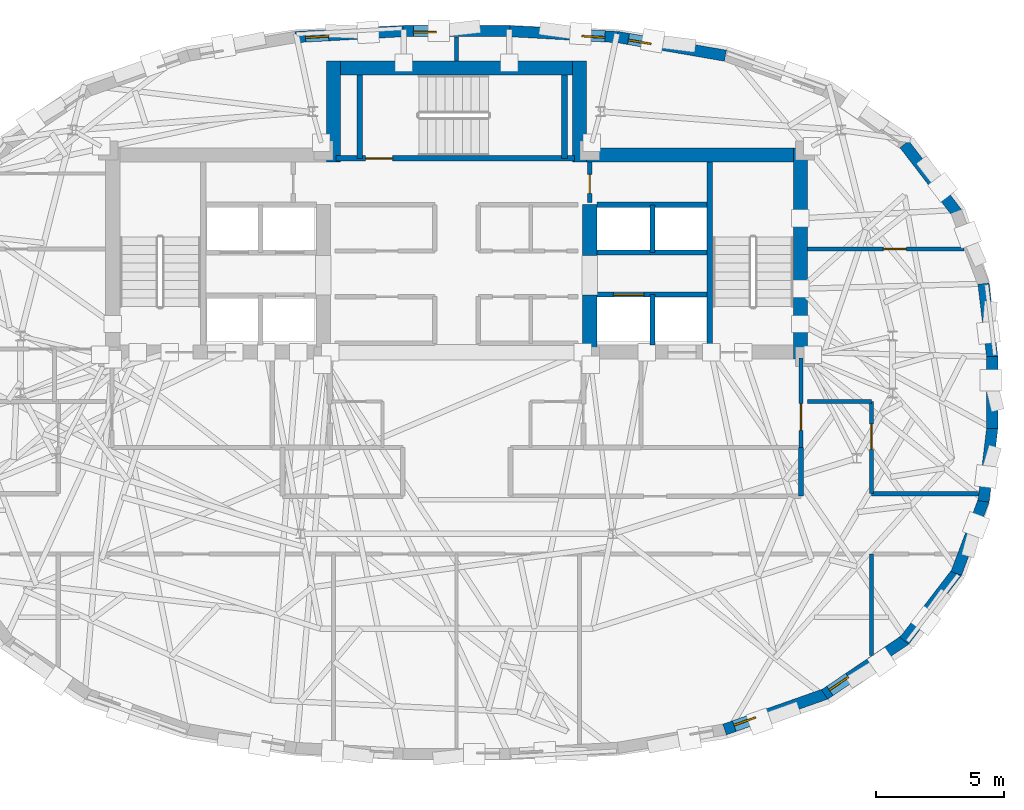
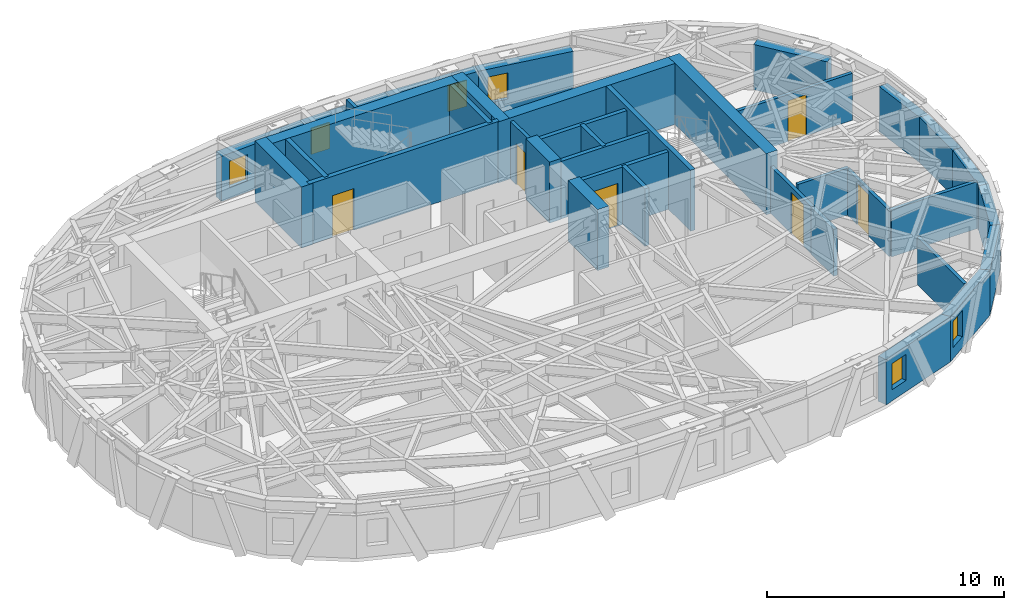
# One storey, part 8 of 12: 37 walls, 6 doors, 6 windows, 12 openings.
"""IFC4 building model written with IfcOpenShell, lengths in metres."""

from ifc_helpers import new_model, si_unit, direction, frame, frame_2d, origin, place, context, subcontext, project, spatial, rectangle, extrude, material, layer, layer_set, type_object, element, fill, save


model = new_model("IFC4")

# Units and contexts
model_context = context("Model", 3, precision=1e-05, world=origin(), true_north=direction((0.0, 1.0)))
body_context = subcontext(model_context, "Body", "Model", "MODEL_VIEW")
ifc_project = project(units=[si_unit("LENGTHUNIT", "METRE"), si_unit("AREAUNIT", "SQUARE_METRE"), si_unit("VOLUMEUNIT", "CUBIC_METRE"), si_unit("PLANEANGLEUNIT", "RADIAN"), si_unit("MASSUNIT", "GRAM", prefix="KILO")], contexts=[model_context])

# Site, building, storey
site_placement = place(None, origin())
site = spatial("IfcSite", under=ifc_project, at=site_placement, CompositionType="ELEMENT")
building_placement = place(site_placement, origin())
building = spatial("IfcBuilding", under=site, at=building_placement, Name="Keldmark Tower", CompositionType="ELEMENT")
storey_placement = place(building_placement, frame((0.0, 0.0, 247.800048828125)))
storey = spatial("IfcBuildingStorey", under=building, at=storey_placement, Name="L70", CompositionType="ELEMENT", Elevation=247.800048828125)

# Walls
ifc_material_1 = material(Name="Heavy Acoustic Plumbing Chase Gypsum Assembly", Category="gypsum")
ifc_layer_1 = layer(ifc_material_1, 0.18994140625)
ifc_layer_set_1 = layer_set([ifc_layer_1], Name="Heavy Acoustic Plumbing Chase Gypsum Assembly")
wall_type_1 = type_object("IfcWallType", Name="Heavy Wet Wall 190 mm", PredefinedType="PLUMBINGWALL", material=ifc_layer_set_1)
wall_1_placement = place(storey_placement, frame((13.449951171875, -4.050048828125, 0.0), z_axis=(0.0, 0.0, 1.0), x_axis=(0.0, 1.0, 0.0)))
element("IfcWall", 1, at=wall_1_placement, inside=storey, type_object=wall_type_1, Name="L70 Heavy Wet Wall 190 mm SPK-E-E", PredefinedType="PLUMBINGWALL", context=body_context, shape_type="SweptSolid", body=[
    extrude(rectangle(XDim=1.900146484375, YDim=0.18994140625, at=frame_2d((0.9501953125, 0.0))), origin(), (0.0, 0.0, 1.0), 2.4228515625),
])
ifc_material_2 = material(Name="Concrete C50/60", Category="concrete")
ifc_layer_2 = layer(ifc_material_2, 0.550048828125)
ifc_layer_set_2 = layer_set([ifc_layer_2], Name="Concrete C50/60")
wall_type_2 = type_object("IfcWallType", Name="High-Rise Core Shear Wall 550 mm", PredefinedType="SHEAR", material=ifc_layer_set_2)
wall_2_placement = place(storey_placement, frame((13.425048828125, 1.300048828125, 0.0), z_axis=(0.0, 0.0, 1.0), x_axis=(0.0, 1.0, 0.0)))
element("IfcWall", 2, at=wall_2_placement, inside=storey, type_object=wall_type_2, Name="L70 East Core Outer Shear Wall", PredefinedType="SHEAR", context=body_context, shape_type="SweptSolid", body=[
    extrude(rectangle(XDim=8.25, YDim=0.550048828125, at=frame_2d((4.125, 0.0))), origin(), (0.0, 0.0, 1.0), 3.14990234375),
])
wall_3_placement = place(storey_placement, frame((4.52490234375, 9.27490234375, 0.0), z_axis=(0.0, 0.0, 1.0), x_axis=(1.0, 0.0, 0.0)))
element("IfcWall", 3, at=wall_3_placement, inside=storey, type_object=wall_type_2, Name="L70 East Core North Shear Wall", PredefinedType="SHEAR", context=body_context, shape_type="SweptSolid", body=[
    extrude(rectangle(XDim=9.175048828125, YDim=0.550048828125, at=frame_2d((4.58740234375, 0.0))), origin(), (0.0, 0.0, 1.0), 3.14990234375),
])
wall_4_placement = place(storey_placement, frame((5.199951171875, 1.300048828125, 0.0), z_axis=(0.0, 0.0, 1.0), x_axis=(0.0, 1.0, 0.0)))
element("IfcWall", 4, at=wall_4_placement, inside=storey, type_object=wall_type_2, Name="L70 East Core Inner Shear Pier South", PredefinedType="SHEAR", context=body_context, shape_type="SweptSolid", body=[
    extrude(rectangle(XDim=2.5, YDim=0.550048828125, at=frame_2d((1.25, 0.0))), origin(), (0.0, 0.0, 1.0), 3.14990234375),
])
wall_5_placement = place(storey_placement, frame((5.199951171875, 5.35009765625, 0.0), z_axis=(0.0, 0.0, 1.0), x_axis=(0.0, 1.0, 0.0)))
element("IfcWall", 5, at=wall_5_placement, inside=storey, type_object=wall_type_2, Name="L70 East Core Inner Shear Pier North", PredefinedType="SHEAR", context=body_context, shape_type="SweptSolid", body=[
    extrude(rectangle(XDim=2.0, YDim=0.550048828125, at=frame_2d((1.0, 0.0))), origin(), (0.0, 0.0, 1.0), 3.14990234375),
])
wall_6_placement = place(storey_placement, frame((-5.074951171875, 12.675048828125, 0.0), z_axis=(0.0, 0.0, 1.0), x_axis=(1.0, 0.0, 0.0)))
element("IfcWall", 6, at=wall_6_placement, inside=storey, type_object=wall_type_2, Name="L70 North Core Shear Wall", PredefinedType="SHEAR", context=body_context, shape_type="SweptSolid", body=[
    extrude(rectangle(XDim=10.14990234375, YDim=0.550048828125, at=frame_2d((5.074951171875, 0.0))), origin(), (0.0, 0.0, 1.0), 3.14990234375),
])
for number, where, z_axis, x_axis, name in (
    (7, (-4.800048828125, 9.0, 0.0), (0.0, 0.0, 1.0), (0.0, 1.0, 0.0), "L70 North Core West Shear Wall"),
    (8, (4.800048828125, 9.0, 0.0), (0.0, 0.0, 1.0), (0.0, 1.0, 0.0), "L70 North Core East Shear Wall"),
):
    element("IfcWall", number, at=place(storey_placement, frame(where, z_axis=z_axis, x_axis=x_axis)), inside=storey, type_object=wall_type_2, Name=name, PredefinedType="SHEAR", context=body_context, shape_type="SweptSolid", body=[
        extrude(rectangle(XDim=3.949951171875, YDim=0.550048828125, at=frame_2d((1.97509765625, 0.0))), origin(), (0.0, 0.0, 1.0), 3.14990234375),
    ])

# Wall, opening, door
ifc_material_3 = material(Name="Type X Fire-Rated Gypsum Partition Assembly", Category="gypsum")
ifc_layer_3 = layer(ifc_material_3, 0.1650390625)
ifc_layer_set_3 = layer_set([ifc_layer_3], Name="Type X Fire-Rated Gypsum Partition Assembly")
wall_type_3 = type_object("IfcWallType", Name="Rated Partition 165 mm", PredefinedType="PARTITIONING", material=ifc_layer_set_3)
wall_7_placement = place(storey_placement, frame((13.449951171875, -2.14990234375, 0.0), z_axis=(0.0, 0.0, 1.0), x_axis=(0.0, 1.0, 0.0)))
wall_7 = element("IfcWall", 9, at=wall_7_placement, inside=storey, type_object=wall_type_3, Name="L70 Rated Partition 165 mm FSAE-E-E", PredefinedType="PARTITIONING", context=body_context, shape_type="SweptSolid", body=[
    extrude(rectangle(XDim=3.5, YDim=0.1650390625, at=frame_2d((1.75, 0.0))), origin(), (0.0, 0.0, 1.0), 2.4228515625),
])
opening_1_placement = place(wall_7_placement, frame((0.669921875, 0.0, 0.0)))
opening_1 = element("IfcOpeningElement", 10, at=opening_1_placement, cuts=wall_7, Name="Opening D-FL105", PredefinedType="OPENING", context=body_context, shape_type="SweptSolid", body=[
    extrude(rectangle(XDim=1.050048828125, YDim=2.14990234375, at=frame_2d((0.52490234375, 1.074951171875))), frame((0.0, 0.092529296875, 0.0), z_axis=(0.0, -1.0, 0.0), x_axis=(1.0, 0.0, 0.0)), (0.0, 0.0, 1.0), 0.18505859375),
])
ifc_material_4 = material(Name="Fire-Rated Mineral-Core Door and Vision Lite", Category="metal")
door_type_1 = type_object("IfcDoorType", Name="Fire Lobby Door 1050x2150", OperationType="NOTDEFINED", PredefinedType="DOOR", material=ifc_material_4)
door_1_placement = place(opening_1_placement, origin())
door_1 = element("IfcDoor", 11, at=door_1_placement, inside=storey, type_object=door_type_1, Name="L70 Fire Lobby Door 1050x2150 D-FSAEE-OUT-L70", OperationType="SINGLE_SWING_RIGHT", OverallHeight=2.14990234375, OverallWidth=1.050048828125, PredefinedType="DOOR", context=body_context, shape_type="SweptSolid", body=[
    extrude(rectangle(XDim=1.050048828125, YDim=2.14990234375, at=frame_2d((0.52490234375, 1.074951171875))), frame((0.0, 0.02490234375, 0.0), z_axis=(0.0, -1.0, 0.0), x_axis=(1.0, 0.0, 0.0)), (0.0, 0.0, 1.0), 0.050048828125),
])
fill(opening_1, door_1)

wall_8_placement = place(storey_placement, frame((5.199951171875, 7.419921875, 0.0), z_axis=(0.0, 0.0, 1.0), x_axis=(0.0, 1.0, 0.0)))
wall_8 = element("IfcWall", 12, at=wall_8_placement, inside=storey, type_object=wall_type_3, Name="L70 Rated Partition 165 mm CS-NE-W", PredefinedType="PARTITIONING", context=body_context, shape_type="SweptSolid", body=[
    extrude(rectangle(XDim=1.580078125, YDim=0.1650390625, at=frame_2d((0.7900390625, 0.0))), origin(), (0.0, 0.0, 1.0), 2.969970703125),
])
opening_2_placement = place(wall_8_placement, frame((0.35009765625, 0.0, 0.0)))
opening_2 = element("IfcOpeningElement", 13, at=opening_2_placement, cuts=wall_8, Name="Opening D-RS075", PredefinedType="OPENING", context=body_context, shape_type="SweptSolid", body=[
    extrude(rectangle(XDim=0.75, YDim=2.10009765625, at=frame_2d((0.375, 1.050048828125))), frame((0.0, 0.092529296875, 0.0), z_axis=(0.0, -1.0, 0.0), x_axis=(1.0, 0.0, 0.0)), (0.0, 0.0, 1.0), 0.18505859375),
])
ifc_material_5 = material(Name="Galvanized Fire-Rated Access Leaf", Category="metal")
door_type_2 = type_object("IfcDoorType", Name="Riser Access Door 750x2100", OperationType="NOTDEFINED", PredefinedType="DOOR", material=ifc_material_5)
door_2_placement = place(opening_2_placement, origin())
door_2 = element("IfcDoor", 14, at=door_2_placement, inside=storey, type_object=door_type_2, Name="L70 Riser Access Door 750x2100 D-CSNE1-L70", OperationType="SINGLE_SWING_LEFT", OverallHeight=2.10009765625, OverallWidth=0.75, PredefinedType="DOOR", context=body_context, shape_type="SweptSolid", body=[
    extrude(rectangle(XDim=0.75, YDim=2.10009765625, at=frame_2d((0.375, 1.050048828125))), frame((0.0, 0.02490234375, 0.0), z_axis=(0.0, -1.0, 0.0), x_axis=(1.0, 0.0, 0.0)), (0.0, 0.0, 1.0), 0.050048828125),
])
fill(opening_2, door_2)

# Wall
wall_9_placement = place(storey_placement, frame((16.199951171875, -3.949951171875, 0.0), z_axis=(0.0, 0.0, 1.0), x_axis=(1.0, 0.0, 0.0)))
element("IfcWall", 15, at=wall_9_placement, inside=storey, type_object=wall_type_3, Name="L70 Rated Partition 165 mm RCOR-EN-OUT", PredefinedType="PARTITIONING", context=body_context, shape_type="SweptSolid", body=[
    extrude(rectangle(XDim=4.179443359375, YDim=0.1650390625, at=frame_2d((2.08984375, 0.0))), origin(), (0.0, 0.0, 1.0), 2.4228515625),
])

# Wall, opening, door
wall_10_placement = place(storey_placement, frame((16.199951171875, -3.949951171875, 0.0), z_axis=(0.0, 0.0, 1.0), x_axis=(0.0, 1.0, 0.0)))
wall_10 = element("IfcWall", 16, at=wall_10_placement, inside=storey, type_object=wall_type_3, Name="L70 Rated Partition 165 mm RCOR-VE", PredefinedType="PARTITIONING", context=body_context, shape_type="SweptSolid", body=[
    extrude(rectangle(XDim=3.599853515625, YDim=0.1650390625, at=frame_2d((1.7998046875, 0.0))), origin(), (0.0, 0.0, 1.0), 2.35693359375),
])
opening_3_placement = place(wall_10_placement, frame((1.72998046875, 0.0, 0.0)))
opening_3 = element("IfcOpeningElement", 17, at=opening_3_placement, cuts=wall_10, Name="Opening D-FD100", PredefinedType="OPENING", context=body_context, shape_type="SweptSolid", body=[
    extrude(rectangle(XDim=1.0, YDim=2.14990234375, at=frame_2d((0.5, 1.074951171875))), frame((0.0, 0.092529296875, 0.0), z_axis=(0.0, -1.0, 0.0), x_axis=(1.0, 0.0, 0.0)), (0.0, 0.0, 1.0), 0.18505859375),
])
ifc_material_6 = material(Name="Hollow Metal Fire-Rated Corridor Door", Category="metal")
door_type_3 = type_object("IfcDoorType", Name="Fire Door 1000x2150", OperationType="NOTDEFINED", PredefinedType="DOOR", material=ifc_material_6)
door_3_placement = place(opening_3_placement, origin())
door_3 = element("IfcDoor", 18, at=door_3_placement, inside=storey, type_object=door_type_3, Name="L70 Fire Door 1000x2150 D-REM1-L70", OperationType="SINGLE_SWING_RIGHT", OverallHeight=2.14990234375, OverallWidth=1.0, PredefinedType="DOOR", context=body_context, shape_type="SweptSolid", body=[
    extrude(rectangle(XDim=1.0, YDim=2.14990234375, at=frame_2d((0.5, 1.074951171875))), frame((0.0, 0.02490234375, 0.0), z_axis=(0.0, -1.0, 0.0), x_axis=(1.0, 0.0, 0.0)), (0.0, 0.0, 1.0), 0.050048828125),
])
fill(opening_3, door_3)

# Walls
wall_11_placement = place(storey_placement, frame((13.699951171875, -0.35009765625, 0.0), z_axis=(0.0, 0.0, 1.0), x_axis=(1.0, 0.0, 0.0)))
element("IfcWall", 19, at=wall_11_placement, inside=storey, type_object=wall_type_3, Name="L70 Rated Partition 165 mm RCOR-VEN", PredefinedType="PARTITIONING", context=body_context, shape_type="SweptSolid", body=[
    extrude(rectangle(XDim=2.5, YDim=0.1650390625, at=frame_2d((1.25, 0.0))), origin(), (0.0, 0.0, 1.0), 2.4228515625),
])
wall_12_placement = place(storey_placement, frame((0.0, 12.949951171875, 0.0), z_axis=(0.0, 0.0, 1.0), x_axis=(0.0, 1.0, 0.0)))
element("IfcWall", 20, at=wall_12_placement, inside=storey, type_object=wall_type_3, Name="L70 Rated Partition 165 mm RN-DIV", PredefinedType="PARTITIONING", context=body_context, shape_type="SweptSolid", body=[
    extrude(rectangle(XDim=0.93212890625, YDim=0.1650390625, at=frame_2d((0.466064453125, 0.0))), origin(), (0.0, 0.0, 1.0), 2.969970703125),
])

# Wall, opening, door
wall_13_placement = place(storey_placement, frame((13.699951171875, 5.60009765625, 0.0), z_axis=(0.0, 0.0, 1.0), x_axis=(1.0, 0.0, 0.0)))
wall_13 = element("IfcWall", 21, at=wall_13_placement, inside=storey, type_object=wall_type_3, Name="L70 Rated Partition 165 mm RE-NDIV", PredefinedType="PARTITIONING", context=body_context, shape_type="SweptSolid", body=[
    extrude(rectangle(XDim=6.115478515625, YDim=0.1650390625, at=frame_2d((3.0576171875, 0.0))), origin(), (0.0, 0.0, 1.0), 2.4228515625),
])
opening_4_placement = place(wall_13_placement, frame((2.9609375, 0.0, 0.0)))
opening_4 = element("IfcOpeningElement", 22, at=opening_4_placement, cuts=wall_13, Name="Opening D-IN090", PredefinedType="OPENING", context=body_context, shape_type="SweptSolid", body=[
    extrude(rectangle(XDim=0.89990234375, YDim=2.10009765625, at=frame_2d((0.449951171875, 1.050048828125))), frame((0.0, 0.092529296875, 0.0), z_axis=(0.0, -1.0, 0.0), x_axis=(1.0, 0.0, 0.0)), (0.0, 0.0, 1.0), 0.18505859375),
])
ifc_material_7 = material(Name="Stained American White Oak Veneer", Category="wood")
door_type_4 = type_object("IfcDoorType", Name="Interior Door 900x2100", OperationType="NOTDEFINED", PredefinedType="DOOR", material=ifc_material_7)
door_4_placement = place(opening_4_placement, origin())
door_4 = element("IfcDoor", 23, at=door_4_placement, inside=storey, type_object=door_type_4, Name="L70 Interior Door 900x2100 D-REN1-L70", OperationType="SINGLE_SWING_LEFT", OverallHeight=2.10009765625, OverallWidth=0.89990234375, PredefinedType="DOOR", context=body_context, shape_type="SweptSolid", body=[
    extrude(rectangle(XDim=0.89990234375, YDim=2.10009765625, at=frame_2d((0.449951171875, 1.050048828125))), frame((0.0, 0.02490234375, 0.0), z_axis=(0.0, -1.0, 0.0), x_axis=(1.0, 0.0, 0.0)), (0.0, 0.0, 1.0), 0.050048828125),
])
fill(opening_4, door_4)

# Wall
wall_14_placement = place(storey_placement, frame((16.199951171875, -10.273193359375, 0.0), z_axis=(0.0, 0.0, 1.0), x_axis=(0.0, 1.0, 0.0)))
element("IfcWall", 24, at=wall_14_placement, inside=storey, type_object=wall_type_3, Name="L70 Rated Partition 165 mm RS-ECAP", PredefinedType="PARTITIONING", context=body_context, shape_type="SweptSolid", body=[
    extrude(rectangle(XDim=3.97314453125, YDim=0.1650390625, at=frame_2d((1.986572265625, 0.0))), origin(), (0.0, 0.0, 1.0), 2.4228515625),
])

# Wall, opening, door
ifc_material_8 = material(Name="Fire-Resistant Type X Gypsum Shaftliner Coreboard", Category="gypsum")
ifc_layer_4 = layer(ifc_material_8, 0.199951171875)
ifc_layer_set_4 = layer_set([ifc_layer_4], Name="Fire-Resistant Type X Gypsum Shaftliner Coreboard")
wall_type_4 = type_object("IfcWallType", Name="Shaft Wall 200 mm", PredefinedType="SOLIDWALL", material=ifc_layer_set_4)
wall_15_placement = place(storey_placement, frame((5.47509765625, 3.820068359375, 0.0), z_axis=(0.0, 0.0, 1.0), x_axis=(1.0, 0.0, 0.0)))
wall_15 = element("IfcWall", 25, at=wall_15_placement, inside=storey, type_object=wall_type_4, Name="L70 Shaft Wall 200 mm HW-E-S", PredefinedType="SOLIDWALL", context=body_context, shape_type="SweptSolid", body=[
    extrude(rectangle(XDim=4.304931640625, YDim=0.199951171875, at=frame_2d((2.15234375, 0.0))), origin(), (0.0, 0.0, 1.0), 2.969970703125),
])
opening_5_placement = place(wall_15_placement, frame((0.64990234375, 0.0, 0.0)))
opening_5 = element("IfcOpeningElement", 26, at=opening_5_placement, cuts=wall_15, Name="Opening LD-120", PredefinedType="OPENING", context=body_context, shape_type="SweptSolid", body=[
    extrude(rectangle(XDim=1.199951171875, YDim=2.199951171875, at=frame_2d((0.60009765625, 1.10009765625))), frame((0.0, 0.10986328125, 0.0), z_axis=(0.0, -1.0, 0.0), x_axis=(1.0, 0.0, 0.0)), (0.0, 0.0, 1.0), 0.219970703125),
])
ifc_material_9 = material(Name="Heavy-Duty Brushed Metal Hoistway Sliding Leaf", Category="metal")
door_type_5 = type_object("IfcDoorType", Name="Service Lift Sliding Door 1200x2200", OperationType="SLIDING_TO_RIGHT", PredefinedType="DOOR", material=ifc_material_9)
door_5_placement = place(opening_5_placement, origin())
door_5 = element("IfcDoor", 27, at=door_5_placement, inside=storey, type_object=door_type_5, Name="L70 Service Lift Sliding Door 1200x2200 LD-EL-SV1-L70", OperationType="SLIDING_TO_RIGHT", OverallHeight=2.199951171875, OverallWidth=1.199951171875, PredefinedType="DOOR", context=body_context, shape_type="SweptSolid", body=[
    extrude(rectangle(XDim=1.199951171875, YDim=2.199951171875, at=frame_2d((0.60009765625, 1.10009765625))), frame((0.0, 0.02490234375, 0.0), z_axis=(0.0, -1.0, 0.0), x_axis=(1.0, 0.0, 0.0)), (0.0, 0.0, 1.0), 0.050048828125),
])
fill(opening_5, door_5)

# Walls
wall_16_placement = place(storey_placement, frame((7.64990234375, 1.85009765625, 0.0), z_axis=(0.0, 0.0, 1.0), x_axis=(0.0, 1.0, 0.0)))
element("IfcWall", 28, at=wall_16_placement, inside=storey, type_object=wall_type_4, Name="L70 Shaft Wall 200 mm HW-E-M", PredefinedType="SOLIDWALL", context=body_context, shape_type="SweptSolid", body=[
    extrude(rectangle(XDim=1.969970703125, YDim=0.199951171875, at=frame_2d((0.98486328125, 0.0))), origin(), (0.0, 0.0, 1.0), 2.969970703125),
])
for number, where, z_axis, x_axis, name in (
    (29, (5.47509765625, 5.469970703125, 0.0), (0.0, 0.0, 1.0), (1.0, 0.0, 0.0), "L70 Shaft Wall 200 mm HW-E-N"),
    (30, (5.47509765625, 7.330078125, 0.0), (0.0, 0.0, 1.0), (1.0, 0.0, 0.0), "L70 Shaft Wall 200 mm HW-E-TOP"),
):
    element("IfcWall", number, at=place(storey_placement, frame(where, z_axis=z_axis, x_axis=x_axis)), inside=storey, type_object=wall_type_4, Name=name, PredefinedType="SOLIDWALL", context=body_context, shape_type="SweptSolid", body=[
        extrude(rectangle(XDim=4.304931640625, YDim=0.199951171875, at=frame_2d((2.15234375, 0.0))), origin(), (0.0, 0.0, 1.0), 2.969970703125),
    ])
wall_17_placement = place(storey_placement, frame((7.64990234375, 5.469970703125, 0.0), z_axis=(0.0, 0.0, 1.0), x_axis=(0.0, 1.0, 0.0)))
element("IfcWall", 31, at=wall_17_placement, inside=storey, type_object=wall_type_4, Name="L70 Shaft Wall 200 mm HW-E-NM", PredefinedType="SOLIDWALL", context=body_context, shape_type="SweptSolid", body=[
    extrude(rectangle(XDim=1.860107421875, YDim=0.199951171875, at=frame_2d((0.93017578125, 0.0))), origin(), (0.0, 0.0, 1.0), 2.969970703125),
])
ifc_material_10 = material(Name="Concrete C50/60", Category="concrete")
ifc_layer_5 = layer(ifc_material_10, 0.219970703125)
ifc_layer_set_5 = layer_set([ifc_layer_5], Name="Concrete C50/60")
wall_type_5 = type_object("IfcWallType", Name="Stair Core Shear Wall 220 mm", PredefinedType="SHEAR", material=ifc_layer_set_5)
wall_18_placement = place(storey_placement, frame((9.889892578125, 1.85009765625, 0.0), z_axis=(0.0, 0.0, 1.0), x_axis=(0.0, 1.0, 0.0)))
element("IfcWall", 32, at=wall_18_placement, inside=storey, type_object=wall_type_5, Name="L70 East Stair Core Shear Wall", PredefinedType="SHEAR", context=body_context, shape_type="SweptSolid", body=[
    extrude(rectangle(XDim=7.14990234375, YDim=0.219970703125, at=frame_2d((3.574951171875, 0.0))), origin(), (0.0, 0.0, 1.0), 3.14990234375),
])

# Wall, opening, door
wall_19_placement = place(storey_placement, frame((-4.699951171875, 9.139892578125, 0.0), z_axis=(0.0, 0.0, 1.0), x_axis=(1.0, 0.0, 0.0)))
wall_19 = element("IfcWall", 33, at=wall_19_placement, inside=storey, type_object=wall_type_5, Name="L70 Central Stair Core South Shear Wall", PredefinedType="SHEAR", context=body_context, shape_type="SweptSolid", body=[
    extrude(rectangle(XDim=9.300048828125, YDim=0.219970703125, at=frame_2d((4.64990234375, 0.0))), origin(), (0.0, 0.0, 1.0), 3.14990234375),
])
opening_6_placement = place(wall_19_placement, frame((1.14990234375, 0.0, 0.0)))
opening_6 = element("IfcOpeningElement", 34, at=opening_6_placement, cuts=wall_19, Name="Opening D-ST105", PredefinedType="OPENING", context=body_context, shape_type="SweptSolid", body=[
    extrude(rectangle(XDim=1.050048828125, YDim=2.14990234375, at=frame_2d((0.52490234375, 1.074951171875))), frame((0.0, 0.119873046875, 0.0), z_axis=(0.0, -1.0, 0.0), x_axis=(1.0, 0.0, 0.0)), (0.0, 0.0, 1.0), 0.239990234375),
])
ifc_material_11 = material(Name="Hollow Metal Fire-Rated Door Assembly", Category="metal")
door_type_6 = type_object("IfcDoorType", Name="Stair Fire Door 1050x2150", OperationType="NOTDEFINED", PredefinedType="DOOR", material=ifc_material_11)
door_6_placement = place(opening_6_placement, origin())
door_6 = element("IfcDoor", 35, at=door_6_placement, inside=storey, type_object=door_type_6, Name="L70 Stair Fire Door 1050x2150 D-ST3-L70", OperationType="SINGLE_SWING_LEFT", OverallHeight=2.14990234375, OverallWidth=1.050048828125, PredefinedType="DOOR", context=body_context, shape_type="SweptSolid", body=[
    extrude(rectangle(XDim=1.050048828125, YDim=2.14990234375, at=frame_2d((0.52490234375, 1.074951171875))), frame((0.0, 0.02490234375, 0.0), z_axis=(0.0, -1.0, 0.0), x_axis=(1.0, 0.0, 0.0)), (0.0, 0.0, 1.0), 0.050048828125),
])
fill(opening_6, door_6)

# Walls
for number, where, z_axis, x_axis, name in (
    (36, (-3.784912109375, 9.139892578125, 0.0), (0.0, 0.0, 1.0), (0.0, 1.0, 0.0), "L70 Central Stair Core West Shear Wall"),
    (37, (4.215087890625, 9.139892578125, 0.0), (0.0, 0.0, 1.0), (0.0, 1.0, 0.0), "L70 Central Stair Core East Shear Wall"),
):
    element("IfcWall", number, at=place(storey_placement, frame(where, z_axis=z_axis, x_axis=x_axis)), inside=storey, type_object=wall_type_5, Name=name, PredefinedType="SHEAR", context=body_context, shape_type="SweptSolid", body=[
        extrude(rectangle(XDim=3.260009765625, YDim=0.219970703125, at=frame_2d((1.6298828125, 0.0))), origin(), (0.0, 0.0, 1.0), 3.14990234375),
    ])
ifc_material_12 = material(Name="Ironspot Manganese Brick and Kasota Buff Limestone Spandrel Assembly", Category="masonry")
ifc_layer_6 = layer(ifc_material_12, 0.43994140625)
ifc_layer_set_6 = layer_set([ifc_layer_6], Name="Ironspot Manganese Brick and Kasota Buff Limestone Spandrel Assembly")
wall_type_6 = type_object("IfcWallType", Name="Tower Brick Pier and Spandrel Wall 440 mm", PredefinedType="STANDARD", material=ifc_layer_set_6)
wall_20_placement = place(storey_placement, frame((20.572998046875, 4.250244140625, 0.0), z_axis=(0.0, 0.0, 1.0), x_axis=(0.118878304978, -0.992908831971, 0.0)))
element("IfcWall", 38, at=wall_20_placement, inside=storey, type_object=wall_type_6, Name="L70 Exterior Brick and Spandrel Wall 01", PredefinedType="STANDARD", context=body_context, shape_type="SweptSolid", body=[
    extrude(rectangle(XDim=2.885498046875, YDim=0.43994140625, at=frame_2d((1.44287109375, 0.0))), origin(), (0.0, 0.0, 1.0), 2.3359375),
])
wall_21_placement = place(storey_placement, frame((17.4833984375, 9.692138671875, 0.0), z_axis=(0.0, 0.0, 1.0), x_axis=(0.608417890777, -0.793616828314, 0.0)))
element("IfcWall", 39, at=wall_21_placement, inside=storey, type_object=wall_type_6, Name="L70 Exterior Brick and Spandrel Wall 03", PredefinedType="STANDARD", context=body_context, shape_type="SweptSolid", body=[
    extrude(rectangle(XDim=3.378662109375, YDim=0.43994140625, at=frame_2d((1.689453125, 0.0))), origin(), (0.0, 0.0, 1.0), 2.3359375),
])

# Wall, opening, window
wall_22_placement = place(storey_placement, frame((6.26953125, 13.880615234375, 0.0), z_axis=(0.0, 0.0, 1.0), x_axis=(0.985405225971, -0.170224970641, 0.0)))
wall_22 = element("IfcWall", 40, at=wall_22_placement, inside=storey, type_object=wall_type_6, Name="L70 Exterior Brick and Spandrel Wall 06", PredefinedType="STANDARD", context=body_context, shape_type="SweptSolid", body=[
    extrude(rectangle(XDim=4.292724609375, YDim=0.43994140625, at=frame_2d((2.146484375, 0.0))), origin(), (0.0, 0.0, 1.0), 2.3359375),
])
opening_7_placement = place(wall_22_placement, frame((0.449462890625, 0.0, 0.580078125)))
opening_7 = element("IfcOpeningElement", 41, at=opening_7_placement, cuts=wall_22, Name="Opening W-09", PredefinedType="OPENING", context=body_context, shape_type="SweptSolid", body=[
    extrude(rectangle(XDim=0.89990234375, YDim=1.35009765625, at=frame_2d((0.449951171875, 0.675048828125))), frame((0.0, 0.22998046875, 0.0), z_axis=(0.0, -1.0, 0.0), x_axis=(1.0, 0.0, 0.0)), (0.0, 0.0, 1.0), 0.4599609375),
])
ifc_material_13 = material(Name="Thermally Broken Anodized Aluminum and Triple Low-E Argon Glazing", Category="aluminium")
window_type = type_object("IfcWindowType", Name="Corner Pier Deep-Set Window 900x1350", PartitioningType="SINGLE_PANEL", PredefinedType="WINDOW", material=ifc_material_13)
window_1_placement = place(opening_7_placement, origin())
window_1 = element("IfcWindow", 42, at=window_1_placement, inside=storey, type_object=window_type, Name="L70 Deep-Set Window 06", OverallHeight=1.35009765625, OverallWidth=0.89990234375, PartitioningType="SINGLE_PANEL", PredefinedType="WINDOW", context=body_context, shape_type="SweptSolid", body=[
    extrude(rectangle(XDim=0.89990234375, YDim=1.35009765625, at=frame_2d((0.449951171875, 0.675048828125))), frame((0.0, -0.010009765625, 0.0), z_axis=(0.0, -1.0, 0.0), x_axis=(1.0, 0.0, 0.0)), (0.0, 0.0, 1.0), 0.06005859375),
])
fill(opening_7, window_1)

wall_23_placement = place(storey_placement, frame((2.069580078125, 14.1103515625, 0.0), z_axis=(0.0, 0.0, 1.0), x_axis=(0.998487393463, -0.05498113399, 0.0)))
wall_23 = element("IfcWall", 43, at=wall_23_placement, inside=storey, type_object=wall_type_6, Name="L70 Exterior Brick and Spandrel Wall 07", PredefinedType="STANDARD", context=body_context, shape_type="SweptSolid", body=[
    extrude(rectangle(XDim=4.231689453125, YDim=0.43994140625, at=frame_2d((2.11572265625, 0.0))), origin(), (0.0, 0.0, 1.0), 2.3359375),
])
opening_8_placement = place(wall_23_placement, frame((2.83349609375, 0.0, 0.580078125)))
opening_8 = element("IfcOpeningElement", 44, at=opening_8_placement, cuts=wall_23, Name="Opening W-09", PredefinedType="OPENING", context=body_context, shape_type="SweptSolid", body=[
    extrude(rectangle(XDim=0.89990234375, YDim=1.35009765625, at=frame_2d((0.449951171875, 0.675048828125))), frame((0.0, 0.22998046875, 0.0), z_axis=(0.0, -1.0, 0.0), x_axis=(1.0, 0.0, 0.0)), (0.0, 0.0, 1.0), 0.4599609375),
])
window_2_placement = place(opening_8_placement, origin())
window_2 = element("IfcWindow", 45, at=window_2_placement, inside=storey, type_object=window_type, Name="L70 Deep-Set Window 07", OverallHeight=1.35009765625, OverallWidth=0.89990234375, PartitioningType="SINGLE_PANEL", PredefinedType="WINDOW", context=body_context, shape_type="SweptSolid", body=[
    extrude(rectangle(XDim=0.89990234375, YDim=1.35009765625, at=frame_2d((0.449951171875, 0.675048828125))), frame((0.0, -0.010009765625, 0.0), z_axis=(0.0, -1.0, 0.0), x_axis=(1.0, 0.0, 0.0)), (0.0, 0.0, 1.0), 0.06005859375),
])
fill(opening_8, window_2)

wall_24_placement = place(storey_placement, frame((-2.08154296875, 14.110107421875, 0.0), z_axis=(0.0, 0.0, 1.0), x_axis=(1.0, 0.0, 0.0)))
wall_24 = element("IfcWall", 46, at=wall_24_placement, inside=storey, type_object=wall_type_6, Name="L70 Exterior Brick and Spandrel Wall 08", PredefinedType="STANDARD", context=body_context, shape_type="SweptSolid", body=[
    extrude(rectangle(XDim=4.1630859375, YDim=0.43994140625, at=frame_2d((2.08154296875, 0.0))), origin(), (0.0, 0.0, 1.0), 2.3359375),
])
opening_9_placement = place(wall_24_placement, frame((0.3974609375, 0.0, 0.580078125)))
opening_9 = element("IfcOpeningElement", 47, at=opening_9_placement, cuts=wall_24, Name="Opening W-09", PredefinedType="OPENING", context=body_context, shape_type="SweptSolid", body=[
    extrude(rectangle(XDim=0.89990234375, YDim=1.35009765625, at=frame_2d((0.449951171875, 0.675048828125))), frame((0.0, 0.22998046875, 0.0), z_axis=(0.0, -1.0, 0.0), x_axis=(1.0, 0.0, 0.0)), (0.0, 0.0, 1.0), 0.4599609375),
])
window_3_placement = place(opening_9_placement, origin())
window_3 = element("IfcWindow", 48, at=window_3_placement, inside=storey, type_object=window_type, Name="L70 Deep-Set Window 08", OverallHeight=1.35009765625, OverallWidth=0.89990234375, PartitioningType="SINGLE_PANEL", PredefinedType="WINDOW", context=body_context, shape_type="SweptSolid", body=[
    extrude(rectangle(XDim=0.89990234375, YDim=1.35009765625, at=frame_2d((0.449951171875, 0.675048828125))), frame((0.0, -0.010009765625, 0.0), z_axis=(0.0, -1.0, 0.0), x_axis=(1.0, 0.0, 0.0)), (0.0, 0.0, 1.0), 0.06005859375),
])
fill(opening_9, window_3)

wall_25_placement = place(storey_placement, frame((-6.294921875, 13.877685546875, 0.0), z_axis=(0.0, 0.0, 1.0), x_axis=(0.998487393463, 0.05498113399, 0.0)))
wall_25 = element("IfcWall", 49, at=wall_25_placement, inside=storey, type_object=wall_type_6, Name="L70 Exterior Brick and Spandrel Wall 09", PredefinedType="STANDARD", context=body_context, shape_type="SweptSolid", body=[
    extrude(rectangle(XDim=4.231689453125, YDim=0.43994140625, at=frame_2d((2.11572265625, 0.0))), origin(), (0.0, 0.0, 1.0), 2.3359375),
])
opening_10_placement = place(wall_25_placement, frame((0.398681640625, 0.0, 0.580078125)))
opening_10 = element("IfcOpeningElement", 50, at=opening_10_placement, cuts=wall_25, Name="Opening W-09", PredefinedType="OPENING", context=body_context, shape_type="SweptSolid", body=[
    extrude(rectangle(XDim=0.89990234375, YDim=1.35009765625, at=frame_2d((0.449951171875, 0.675048828125))), frame((0.0, 0.22998046875, 0.0), z_axis=(0.0, -1.0, 0.0), x_axis=(1.0, 0.0, 0.0)), (0.0, 0.0, 1.0), 0.4599609375),
])
window_4_placement = place(opening_10_placement, origin())
window_4 = element("IfcWindow", 51, at=window_4_placement, inside=storey, type_object=window_type, Name="L70 Deep-Set Window 09", OverallHeight=1.35009765625, OverallWidth=0.89990234375, PartitioningType="SINGLE_PANEL", PredefinedType="WINDOW", context=body_context, shape_type="SweptSolid", body=[
    extrude(rectangle(XDim=0.89990234375, YDim=1.35009765625, at=frame_2d((0.449951171875, 0.675048828125))), frame((0.0, -0.010009765625, 0.0), z_axis=(0.0, -1.0, 0.0), x_axis=(1.0, 0.0, 0.0)), (0.0, 0.0, 1.0), 0.06005859375),
])
fill(opening_10, window_4)

wall_26_placement = place(storey_placement, frame((14.41845703125, -11.765380859375, 0.0), z_axis=(0.0, 0.0, 1.0), x_axis=(-0.943128925421, -0.332427180047, 0.0)))
wall_26 = element("IfcWall", 52, at=wall_26_placement, inside=storey, type_object=wall_type_6, Name="L70 Exterior Brick and Spandrel Wall 27", PredefinedType="STANDARD", context=body_context, shape_type="SweptSolid", body=[
    extrude(rectangle(XDim=4.19287109375, YDim=0.43994140625, at=frame_2d((2.096435546875, 0.0))), origin(), (0.0, 0.0, 1.0), 2.3359375),
])
opening_11_placement = place(wall_26_placement, frame((2.893310546875, 0.0, 0.580078125)))
opening_11 = element("IfcOpeningElement", 53, at=opening_11_placement, cuts=wall_26, Name="Opening W-09", PredefinedType="OPENING", context=body_context, shape_type="SweptSolid", body=[
    extrude(rectangle(XDim=0.89990234375, YDim=1.35009765625, at=frame_2d((0.449951171875, 0.675048828125))), frame((0.0, 0.22998046875, 0.0), z_axis=(0.0, -1.0, 0.0), x_axis=(1.0, 0.0, 0.0)), (0.0, 0.0, 1.0), 0.4599609375),
])
window_5_placement = place(opening_11_placement, origin())
window_5 = element("IfcWindow", 54, at=window_5_placement, inside=storey, type_object=window_type, Name="L70 Deep-Set Window 27", OverallHeight=1.35009765625, OverallWidth=0.89990234375, PartitioningType="SINGLE_PANEL", PredefinedType="WINDOW", context=body_context, shape_type="SweptSolid", body=[
    extrude(rectangle(XDim=0.89990234375, YDim=1.35009765625, at=frame_2d((0.449951171875, 0.675048828125))), frame((0.0, -0.010009765625, 0.0), z_axis=(0.0, -1.0, 0.0), x_axis=(1.0, 0.0, 0.0)), (0.0, 0.0, 1.0), 0.06005859375),
])
fill(opening_11, window_5)

wall_27_placement = place(storey_placement, frame((17.53466796875, -9.643798828125, 0.0), z_axis=(0.0, 0.0, 1.0), x_axis=(-0.827685387822, -0.56119239017, 0.0)))
wall_27 = element("IfcWall", 55, at=wall_27_placement, inside=storey, type_object=wall_type_6, Name="L70 Exterior Brick and Spandrel Wall 28", PredefinedType="STANDARD", context=body_context, shape_type="SweptSolid", body=[
    extrude(rectangle(XDim=3.82568359375, YDim=0.43994140625, at=frame_2d((1.912841796875, 0.0))), origin(), (0.0, 0.0, 1.0), 2.3359375),
])
opening_12_placement = place(wall_27_placement, frame((2.67626953125, 0.0, 0.580078125)))
opening_12 = element("IfcOpeningElement", 56, at=opening_12_placement, cuts=wall_27, Name="Opening W-09", PredefinedType="OPENING", context=body_context, shape_type="SweptSolid", body=[
    extrude(rectangle(XDim=0.89990234375, YDim=1.35009765625, at=frame_2d((0.449951171875, 0.675048828125))), frame((0.0, 0.22998046875, 0.0), z_axis=(0.0, -1.0, 0.0), x_axis=(1.0, 0.0, 0.0)), (0.0, 0.0, 1.0), 0.4599609375),
])
window_6_placement = place(opening_12_placement, origin())
window_6 = element("IfcWindow", 57, at=window_6_placement, inside=storey, type_object=window_type, Name="L70 Deep-Set Window 28", OverallHeight=1.35009765625, OverallWidth=0.89990234375, PartitioningType="SINGLE_PANEL", PredefinedType="WINDOW", context=body_context, shape_type="SweptSolid", body=[
    extrude(rectangle(XDim=0.89990234375, YDim=1.35009765625, at=frame_2d((0.449951171875, 0.675048828125))), frame((0.0, -0.010009765625, 0.0), z_axis=(0.0, -1.0, 0.0), x_axis=(1.0, 0.0, 0.0)), (0.0, 0.0, 1.0), 0.06005859375),
])
fill(opening_12, window_6)

# Walls
wall_28_placement = place(storey_placement, frame((19.5390625, -7.0107421875, 0.0), z_axis=(0.0, 0.0, 1.0), x_axis=(-0.608417890777, -0.793616828314, 0.0)))
element("IfcWall", 58, at=wall_28_placement, inside=storey, type_object=wall_type_6, Name="L70 Exterior Brick and Spandrel Wall 29", PredefinedType="STANDARD", context=body_context, shape_type="SweptSolid", body=[
    extrude(rectangle(XDim=3.378662109375, YDim=0.43994140625, at=frame_2d((1.689453125, 0.0))), origin(), (0.0, 0.0, 1.0), 2.3359375),
])
wall_29_placement = place(storey_placement, frame((20.585693359375, -4.198974609375, 0.0), z_axis=(0.0, 0.0, 1.0), x_axis=(-0.351786989162, -0.936080078976, 0.0)))
element("IfcWall", 59, at=wall_29_placement, inside=storey, type_object=wall_type_6, Name="L70 Exterior Brick and Spandrel Wall 30", PredefinedType="STANDARD", context=body_context, shape_type="SweptSolid", body=[
    extrude(rectangle(XDim=3.06396484375, YDim=0.43994140625, at=frame_2d((1.531982421875, 0.0))), origin(), (0.0, 0.0, 1.0), 2.3359375),
])
wall_30_placement = place(storey_placement, frame((20.916015625, -1.38525390625, 0.0), z_axis=(0.0, 0.0, 1.0), x_axis=(-0.118878304978, -0.992908831971, 0.0)))
element("IfcWall", 60, at=wall_30_placement, inside=storey, type_object=wall_type_6, Name="L70 Exterior Brick and Spandrel Wall 31", PredefinedType="STANDARD", context=body_context, shape_type="SweptSolid", body=[
    extrude(rectangle(XDim=2.885498046875, YDim=0.43994140625, at=frame_2d((1.44287109375, 0.0))), origin(), (0.0, 0.0, 1.0), 2.3359375),
])
wall_31_placement = place(storey_placement, frame((20.914306640625, 1.411376953125, 0.0), z_axis=(0.0, 0.0, 1.0), x_axis=(0.0, -1.0, 0.0)))
element("IfcWall", 61, at=wall_31_placement, inside=storey, type_object=wall_type_6, Name="L70 Exterior Brick and Spandrel Wall 32", PredefinedType="STANDARD", context=body_context, shape_type="SweptSolid", body=[
    extrude(rectangle(XDim=2.82275390625, YDim=0.43994140625, at=frame_2d((1.411376953125, 0.0))), origin(), (0.0, 0.0, 1.0), 2.3359375),
])

save(model, "model.ifc")
